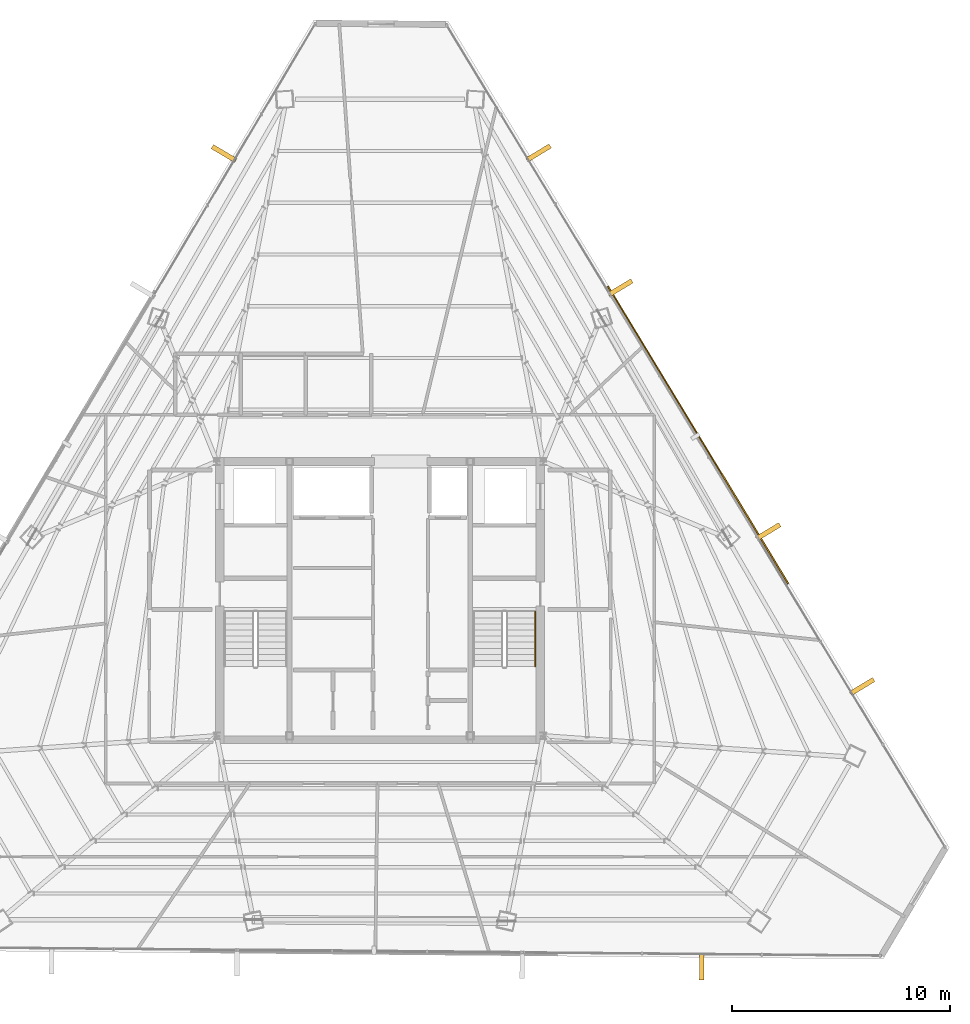
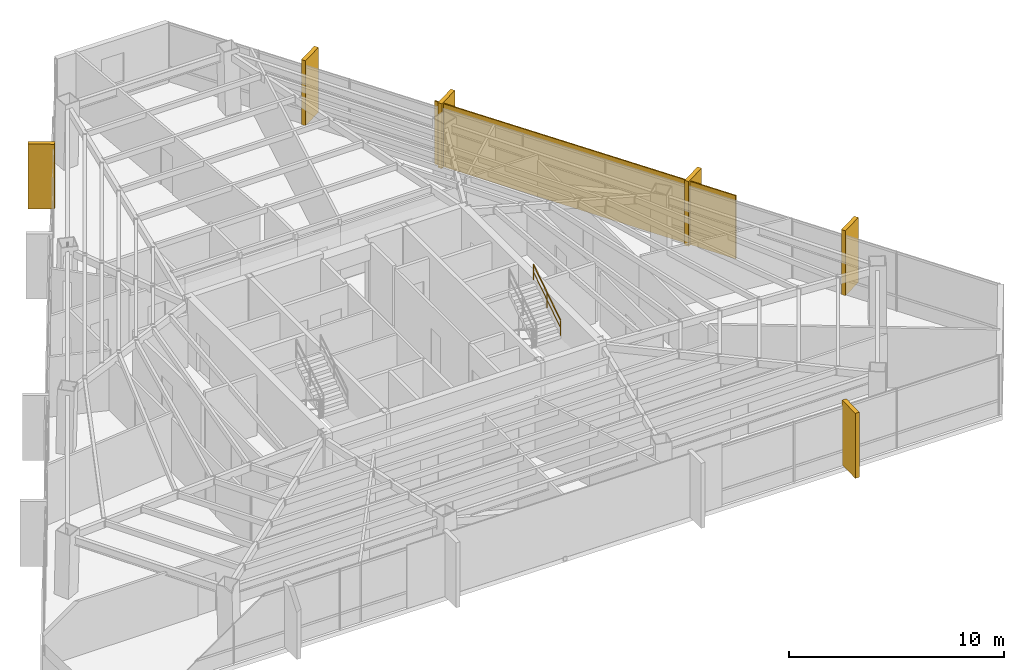
# One storey, part 49 of 49: 6 coverings, 1 railing, 1 shading device.
"""IFC4 building model written with IfcOpenShell, lengths in metres."""

from ifc_helpers import new_model, si_unit, direction, frame, origin, origin_2d, place, context, subcontext, project, spatial, rectangle, extrude, source, transform, mapped, material, layer, layer_set, type_object, type_shapes, element, save


model = new_model("IFC4")

# Units and contexts
model_context = context("Model", 3, precision=1e-05, world=origin(), true_north=direction((0.0, 1.0)))
body_context = subcontext(model_context, "Body", "Model", "MODEL_VIEW")
ifc_project = project(units=[si_unit("LENGTHUNIT", "METRE"), si_unit("AREAUNIT", "SQUARE_METRE"), si_unit("VOLUMEUNIT", "CUBIC_METRE"), si_unit("PLANEANGLEUNIT", "RADIAN"), si_unit("MASSUNIT", "GRAM", prefix="KILO")], contexts=[model_context])

# Site, building, storey
site_placement = place(None, origin())
site = spatial("IfcSite", under=ifc_project, at=site_placement, CompositionType="ELEMENT")
building_placement = place(site_placement, origin())
building = spatial("IfcBuilding", under=site, at=building_placement, Name="Caelisora Broadcast Tower", CompositionType="ELEMENT")
storey_placement = place(building_placement, frame((0.0, 0.0, 233.5)))
storey = spatial("IfcBuildingStorey", under=building, at=storey_placement, Name="L61", CompositionType="ELEMENT", Elevation=233.5)

# Railing
ifc_material_1 = material(Name="Stainless Steel Grade 316 Tubular Handrail", Category="steel")
ifc_layer_1 = layer(ifc_material_1, 0.048095703125, Name="Stainless Steel Grade 316 Tubular Handrail")
ifc_layer_set_1 = layer_set([ifc_layer_1], Name="Stainless Steel Grade 316 Tubular Handrail")
railing_type = type_object("IfcRailingType", Name="HR-1", PredefinedType="HANDRAIL", material=ifc_layer_set_1)
railing_placement = place(storey_placement, frame((45.1298828125, 20.580078125, 2.007568359375)))
element("IfcRailing", 1, at=railing_placement, inside=storey, type_object=railing_type, Name="L61 ST-2 stair handrail 2", PredefinedType="HANDRAIL", context=body_context, shape_type="SweptSolid", body=[
    extrude(rectangle(XDim=0.048095703125, YDim=0.048095703125, at=origin_2d()), frame((0.0, 0.0, 0.8759765625), z_axis=(0.0, 0.837786554691, 0.545997883492), x_axis=(-1.0, 0.0, 0.0)), (0.0, 0.0, 1.0), 3.008056640625),
    extrude(rectangle(XDim=0.03125, YDim=0.03125, at=origin_2d()), frame((0.0, 0.0, 0.449951171875), z_axis=(0.0, 0.837786554691, 0.545997883492), x_axis=(-1.0, 0.0, 0.0)), (0.0, 0.0, 1.0), 3.008056640625),
    extrude(rectangle(XDim=0.0419921875, YDim=0.0419921875, at=origin_2d()), origin(), (0.0, 0.0, 1.0), 0.851806640625),
    extrude(rectangle(XDim=0.0419921875, YDim=0.0419921875, at=origin_2d()), frame((0.0, 1.260009765625, 0.8212890625)), (0.0, 0.0, 1.0), 0.851806640625),
    extrude(rectangle(XDim=0.0419921875, YDim=0.0419921875, at=origin_2d()), frame((0.0, 2.52001953125, 1.642333984375)), (0.0, 0.0, 1.0), 0.851806640625),
])

# Coverings
ifc_material_2 = material(Name="Kiln-Fired Terracotta Spandrel Rainscreen Cladding", Category="ceramic")
ifc_layer_2 = layer(ifc_material_2, 0.044921875, Name="Kiln-Fired Terracotta Spandrel Rainscreen Cladding")
ifc_layer_set_2 = layer_set([ifc_layer_2], Name="Kiln-Fired Terracotta Spandrel Rainscreen Cladding")
covering_type = type_object("IfcCoveringType", Name="CL-1", PredefinedType="CLADDING", material=ifc_layer_set_2)
shared_shape_1 = source(origin(), body_context, "Body", "SweptSolid", [
    extrude(rectangle(XDim=0.219970703125, YDim=1.25, at=origin_2d()), origin(), (0.0, 0.0, 1.0), 3.68994140625),
])
type_shapes(covering_type, [shared_shape_1])
for number, where, z_axis, x_axis, name in (
    (2, (45.284912109375, 44.171630859375, -0.02001953125), (0.0, 0.0, 1.0), (0.518474806022, -0.855092904614, 0.0), "L61 vertical solar fin cladding #1-1"),
    (3, (49.041748046875, 37.97607421875, -0.02001953125), (0.0, 0.0, 1.0), (0.518474806022, -0.855092904614, 0.0), "L61 vertical solar fin cladding #1-2"),
    (4, (55.834716796875, 26.773681640625, -0.02001953125), (0.0, 0.0, 1.0), (0.518474806022, -0.855092904614, 0.0), "L61 vertical solar fin cladding #1-3"),
    (5, (60.148681640625, 19.65966796875, -0.02001953125), (0.0, 0.0, 1.0), (0.518474806022, -0.855092904614, 0.0), "L61 vertical solar fin cladding #1-4"),
    (6, (52.781982421875, 6.806396484375, -0.02001953125), (0.0, 0.0, 1.0), (-0.999960384766, 0.008901061644, 0.0), "L61 vertical solar fin cladding #2-1"),
    (7, (30.8369140625, 44.143798828125, -0.02001953125), (0.0, 0.0, 1.0), (0.510843031866, 0.859674006117, 0.0), "L61 vertical solar fin cladding #3-4"),
):
    element("IfcCovering", number, at=place(storey_placement, frame(where, z_axis=z_axis, x_axis=x_axis)), inside=storey, type_object=covering_type, Name=name, PredefinedType="CLADDING", context=body_context, shape_type="MappedRepresentation", body=[
        mapped(shared_shape_1, transform((0.0, 0.0, 0.0), scale=1.0)),
    ])

# Shading device
ifc_material_3 = material(Name="Perforated Glazed Terracotta Baguette Solar Screen", Category="ceramic")
ifc_layer_3 = layer(ifc_material_3, 0.06494140625, Name="Perforated Glazed Terracotta Baguette Solar Screen")
ifc_layer_set_3 = layer_set([ifc_layer_3], Name="Perforated Glazed Terracotta Baguette Solar Screen")
shading_device_type = type_object("IfcShadingDeviceType", Name="SS-1", PredefinedType="USERDEFINED", material=ifc_layer_set_3)
shared_shape_2 = source(origin(), body_context, "Body", "SweptSolid", [
    extrude(rectangle(XDim=15.986083984375, YDim=0.06494140625, at=origin_2d()), origin(), (0.0, 0.0, 1.0), 3.590087890625),
])
type_shapes(shading_device_type, [shared_shape_2])
shading_device_placement = place(storey_placement, frame((52.6123046875, 31.22021484375, 0.0), z_axis=(0.0, 0.0, 1.0), x_axis=(-0.518474806022, 0.855092904614, 0.0)))
element("IfcShadingDevice", 8, at=shading_device_placement, inside=storey, type_object=shading_device_type, Name="L61 perforated terracotta solar screen #3", ObjectType="SOLAR SCREEN", PredefinedType="USERDEFINED", context=body_context, shape_type="MappedRepresentation", body=[
    mapped(shared_shape_2, transform((0.0, 0.0, 0.0), scale=1.0)),
])

save(model, "model.ifc")
